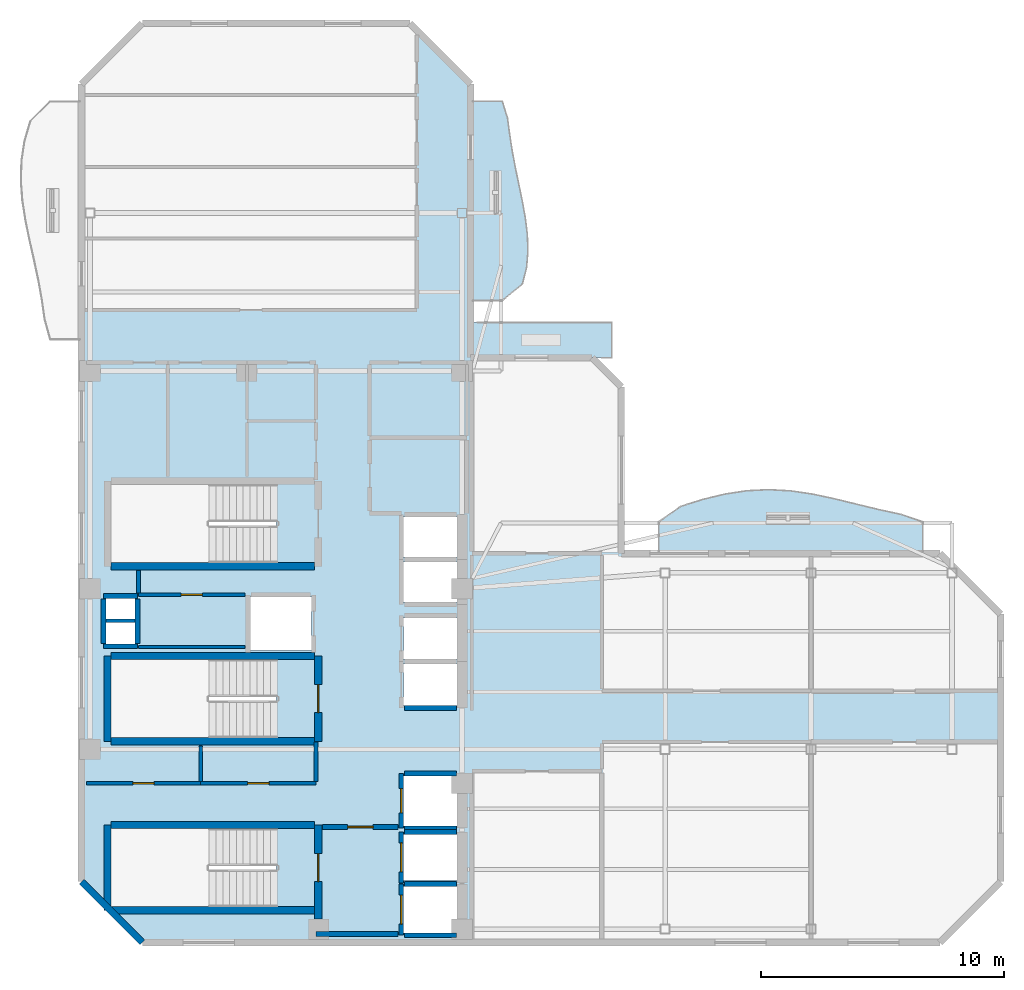
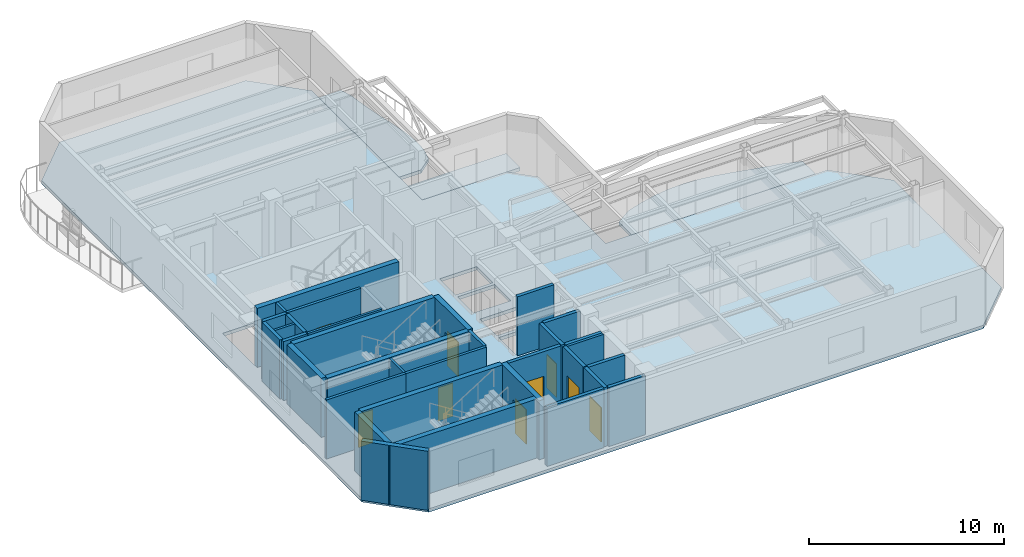
# One storey, part 2 of 8: 33 walls, 9 doors, 4 slabs, 9 openings.
"""IFC4 building model written with IfcOpenShell, lengths in metres."""

from ifc_helpers import new_model, si_unit, direction, frame, frame_2d, origin, place, context, subcontext, project, spatial, polyline, rectangle, outline, extrude, material, layer, layer_set, type_object, element, fill, save


model = new_model("IFC4")

# Units and contexts
model_context = context("Model", 3, precision=1e-05, world=origin(), true_north=direction((0.0, 1.0)))
body_context = subcontext(model_context, "Body", "Model", "MODEL_VIEW")
ifc_project = project(units=[si_unit("LENGTHUNIT", "METRE"), si_unit("AREAUNIT", "SQUARE_METRE"), si_unit("VOLUMEUNIT", "CUBIC_METRE"), si_unit("PLANEANGLEUNIT", "RADIAN"), si_unit("MASSUNIT", "GRAM", prefix="KILO")], contexts=[model_context])

# Site, building, storey
site_placement = place(None, origin())
site = spatial("IfcSite", under=ifc_project, at=site_placement, CompositionType="ELEMENT")
building_placement = place(site_placement, origin())
building = spatial("IfcBuilding", under=site, at=building_placement, Name="Mawjaban Terraces University", CompositionType="ELEMENT")
storey_placement = place(building_placement, frame((0.0, 0.0, 259.89990234375)))
storey = spatial("IfcBuildingStorey", under=building, at=storey_placement, Name="L63", CompositionType="ELEMENT", Elevation=259.89990234375)

# Slabs
ifc_material_1 = material(Name="Concrete C40/50", Category="concrete")
ifc_layer_1 = layer(ifc_material_1, 0.2099609375)
ifc_layer_set_1 = layer_set([ifc_layer_1], Name="Concrete C40/50")
slab_type_1 = type_object("IfcSlabType", Name="BalconySlab_210_Ext", PredefinedType="FLOOR", material=ifc_layer_set_1)
slab_1_placement = place(storey_placement, frame((0.0, 0.0, -0.2099609375)))
element("IfcSlab", 1, at=slab_1_placement, inside=storey, type_object=slab_type_1, Name="L63 Planted Balcony Slab inner_north", PredefinedType="FLOOR", context=body_context, shape_type="SweptSolid", body=[
    extrude(outline(polyline([(45.739990234375, 15.989990234375), (56.60009765625, 15.989990234375), (56.60009765625, 17.300048828125), (55.695068359375, 17.60693359375), (54.7900390625, 17.802978515625), (53.885009765625, 18.02197265625), (52.97998046875, 18.243896484375), (52.074951171875, 18.43798828125), (51.169921875, 18.572021484375), (50.264892578125, 18.623046875), (49.360107421875, 18.577880859375), (48.455078125, 18.43994140625), (47.550048828125, 18.220947265625), (46.64501953125, 17.93505859375), (45.739990234375, 17.300048828125), (45.739990234375, 15.989990234375)])), origin(), (0.0, 0.0, 1.0), 0.2099609375),
])
slab_2_placement = place(storey_placement, frame((0.0, 0.0, -0.2099609375)))
element("IfcSlab", 2, at=slab_2_placement, inside=storey, type_object=slab_type_1, Name="L63 Planted Balcony Slab inner_east", PredefinedType="FLOOR", context=body_context, shape_type="SweptSolid", body=[
    extrude(outline(polyline([(39.300048828125, 26.39990234375), (40.1298828125, 27.0830078125), (40.302978515625, 27.76708984375), (40.35791015625, 28.449951171875), (40.33203125, 29.133056640625), (40.2470703125, 29.81689453125), (40.1240234375, 30.5), (39.98193359375, 31.18310546875), (39.840087890625, 31.866943359375), (39.7119140625, 32.550048828125), (39.60595703125, 33.23291015625), (39.51611328125, 33.9169921875), (39.300048828125, 34.60009765625), (37.989990234375, 34.60009765625), (37.989990234375, 26.39990234375), (39.300048828125, 26.39990234375)])), origin(), (0.0, 0.0, 1.0), 0.2099609375),
])
ifc_layer_2 = layer(ifc_material_1, 0.2099609375)
ifc_layer_set_2 = layer_set([ifc_layer_2], Name="Concrete C40/50")
slab_type_2 = type_object("IfcSlabType", Name="CompositeSlab_210", PredefinedType="FLOOR", material=ifc_layer_set_2)
slab_3_placement = place(storey_placement, frame((0.0, 0.0, -0.2099609375)))
element("IfcSlab", 3, at=slab_3_placement, inside=storey, type_object=slab_type_2, Name="L63 Primary Structural Slab", PredefinedType="FLOOR", context=body_context, shape_type="SweptSolid", body=[
    extrude(outline(polyline([(24.5, 0.0), (57.300048828125, 0.0), (59.800048828125, 2.5), (59.800048828125, 13.5), (57.300048828125, 16.0), (44.199951171875, 16.0), (44.199951171875, 22.85009765625), (43.0, 24.050048828125), (38.0, 24.050048828125), (38.0, 35.300048828125), (35.5, 37.800048828125), (24.5, 37.800048828125), (22.0, 35.300048828125), (22.0, 2.5), (24.5, 0.0)]), holes=[polyline([(30.014892578125, 4.699951171875), (23.199951171875, 4.699951171875), (23.199951171875, 1.449951171875), (30.014892578125, 1.449951171875), (30.014892578125, 4.699951171875)]), polyline([(30.014892578125, 18.85009765625), (23.199951171875, 18.85009765625), (23.199951171875, 15.60009765625), (30.014892578125, 15.60009765625), (30.014892578125, 18.85009765625)]), polyline([(30.014892578125, 11.64990234375), (23.199951171875, 11.64990234375), (23.199951171875, 8.39990234375), (30.014892578125, 8.39990234375), (30.014892578125, 11.64990234375)]), polyline([(35.25, 0.39990234375), (37.449951171875, 0.39990234375), (37.449951171875, 2.300048828125), (35.25, 2.300048828125), (35.25, 0.39990234375)]), polyline([(35.25, 2.550048828125), (37.449951171875, 2.550048828125), (37.449951171875, 4.449951171875), (35.25, 4.449951171875), (35.25, 2.550048828125)]), polyline([(35.25, 4.800048828125), (37.449951171875, 4.800048828125), (37.449951171875, 6.85009765625), (35.25, 6.85009765625), (35.25, 4.800048828125)]), polyline([(35.25, 9.75), (37.449951171875, 9.75), (37.449951171875, 11.449951171875), (35.25, 11.449951171875), (35.25, 9.75)]), polyline([(35.25, 11.64990234375), (37.449951171875, 11.64990234375), (37.449951171875, 13.35009765625), (35.25, 13.35009765625), (35.25, 11.64990234375)]), polyline([(28.949951171875, 12.0), (31.449951171875, 12.0), (31.449951171875, 14.199951171875), (28.949951171875, 14.199951171875), (28.949951171875, 12.0)]), polyline([(35.25, 14.0), (37.449951171875, 14.0), (37.449951171875, 15.64990234375), (35.25, 15.64990234375), (35.25, 14.0)]), polyline([(35.25, 15.85009765625), (37.449951171875, 15.85009765625), (37.449951171875, 17.5), (35.25, 17.5), (35.25, 15.85009765625)]), polyline([(23.0, 12.25), (24.199951171875, 12.25), (24.199951171875, 13.14990234375), (23.0, 13.14990234375), (23.0, 12.25)]), polyline([(23.0, 13.300048828125), (24.199951171875, 13.300048828125), (24.199951171875, 14.179931640625), (23.0, 14.179931640625), (23.0, 13.300048828125)])]), origin(), (0.0, 0.0, 1.0), 0.2099609375),
])
ifc_layer_3 = layer(ifc_material_1, 0.2099609375)
ifc_layer_set_3 = layer_set([ifc_layer_3], Name="Concrete C40/50")
slab_type_3 = type_object("IfcSlabType", Name="StudyTerraceSlab_210_Ext", PredefinedType="FLOOR", material=ifc_layer_set_3)
slab_4_placement = place(storey_placement, frame((0.0, 0.0, -0.2099609375)))
element("IfcSlab", 4, at=slab_4_placement, inside=storey, type_object=slab_type_3, Name="L63 Exterior Study Terrace Slab", PredefinedType="FLOOR", context=body_context, shape_type="SweptSolid", body=[
    extrude(outline(polyline([(38.0, 24.050048828125), (43.800048828125, 24.050048828125), (43.800048828125, 25.5), (38.0, 25.5), (38.0, 24.050048828125)])), origin(), (0.0, 0.0, 1.0), 0.2099609375),
])

# Wall, opening, door
ifc_material_2 = material(Name="Fire-rated gypsum board on steel stud", Category="steel")
ifc_layer_4 = layer(ifc_material_2, 0.159912109375)
ifc_layer_set_4 = layer_set([ifc_layer_4], Name="Fire-rated gypsum board on steel stud")
wall_type_1 = type_object("IfcWallType", Name="CorridorPartition_160", PredefinedType="PARTITIONING", material=ifc_layer_set_4)
wall_1_placement = place(storey_placement, frame((24.35009765625, 14.300048828125, 0.0), z_axis=(0.0, 0.0, 1.0), x_axis=(1.0, 0.0, 0.0)))
wall_1 = element("IfcWall", 5, at=wall_1_placement, inside=storey, type_object=wall_type_1, Name="L63 Core Riser Access Passage Partition 2", PredefinedType="PARTITIONING", context=body_context, shape_type="SweptSolid", body=[
    extrude(rectangle(XDim=4.369873046875, YDim=0.159912109375, at=frame_2d((2.18505859375, 0.0))), origin(), (0.0, 0.0, 1.0), 3.690185546875),
])
opening_1_placement = place(wall_1_placement, frame((1.7451171875, 0.0, 0.0)))
opening_1 = element("IfcOpeningElement", 6, at=opening_1_placement, cuts=wall_1, Name="Opening ID-088", PredefinedType="OPENING", context=body_context, shape_type="SweptSolid", body=[
    extrude(rectangle(XDim=0.8798828125, YDim=2.10009765625, at=frame_2d((0.43994140625, 1.050048828125))), frame((0.0, 0.08984375, 0.0), z_axis=(0.0, -1.0, 0.0), x_axis=(1.0, 0.0, 0.0)), (0.0, 0.0, 1.0), 0.179931640625),
])
ifc_material_3 = material(Name="Powder-coated steel frame and solid acoustic timber leaf", Category="steel")
door_type_1 = type_object("IfcDoorType", Name="ToiletDoor_880x2100", OperationType="NOTDEFINED", PredefinedType="DOOR", material=ifc_material_3)
door_1_placement = place(opening_1_placement, origin())
door_1 = element("IfcDoor", 7, at=door_1_placement, inside=storey, type_object=door_type_1, Name="L63 Ablution Room Door", OperationType="SINGLE_SWING_LEFT", OverallHeight=2.10009765625, OverallWidth=0.8798828125, PredefinedType="DOOR", context=body_context, shape_type="SweptSolid", body=[
    extrude(rectangle(XDim=0.8798828125, YDim=2.10009765625, at=frame_2d((0.43994140625, 1.050048828125))), frame((0.0, 0.02490234375, 0.0), z_axis=(0.0, -1.0, 0.0), x_axis=(1.0, 0.0, 0.0)), (0.0, 0.0, 1.0), 0.050048828125),
])
fill(opening_1, door_1)

wall_2_placement = place(storey_placement, frame((26.89990234375, 6.550048828125, 0.0), z_axis=(0.0, 0.0, 1.0), x_axis=(-1.0, 0.0, 0.0)))
wall_2 = element("IfcWall", 8, at=wall_2_placement, inside=storey, type_object=wall_type_1, Name="L63 Core Washroom Lobby Partition 4", PredefinedType="PARTITIONING", context=body_context, shape_type="SweptSolid", body=[
    extrude(rectangle(XDim=4.699951171875, YDim=0.159912109375, at=frame_2d((2.35009765625, 0.0))), origin(), (0.0, 0.0, 1.0), 3.690185546875),
])
opening_2_placement = place(wall_2_placement, frame((1.909912109375, 0.0, 0.0)))
opening_2 = element("IfcOpeningElement", 9, at=opening_2_placement, cuts=wall_2, Name="Opening ID-088", PredefinedType="OPENING", context=body_context, shape_type="SweptSolid", body=[
    extrude(rectangle(XDim=0.8798828125, YDim=2.10009765625, at=frame_2d((0.43994140625, 1.050048828125))), frame((0.0, 0.08984375, 0.0), z_axis=(0.0, -1.0, 0.0), x_axis=(1.0, 0.0, 0.0)), (0.0, 0.0, 1.0), 0.179931640625),
])
door_2_placement = place(opening_2_placement, origin())
door_2 = element("IfcDoor", 10, at=door_2_placement, inside=storey, type_object=door_type_1, Name="L63 Male Toilet Door", OperationType="SINGLE_SWING_LEFT", OverallHeight=2.10009765625, OverallWidth=0.8798828125, PredefinedType="DOOR", context=body_context, shape_type="SweptSolid", body=[
    extrude(rectangle(XDim=0.8798828125, YDim=2.10009765625, at=frame_2d((0.43994140625, 1.050048828125))), frame((0.0, 0.02490234375, 0.0), z_axis=(0.0, -1.0, 0.0), x_axis=(1.0, 0.0, 0.0)), (0.0, 0.0, 1.0), 0.050048828125),
])
fill(opening_2, door_2)

wall_3_placement = place(storey_placement, frame((31.64990234375, 6.550048828125, 0.0), z_axis=(0.0, 0.0, 1.0), x_axis=(-1.0, 0.0, 0.0)))
wall_3 = element("IfcWall", 11, at=wall_3_placement, inside=storey, type_object=wall_type_1, Name="L63 Core Washroom Lobby Partition 7", PredefinedType="PARTITIONING", context=body_context, shape_type="SweptSolid", body=[
    extrude(rectangle(XDim=4.75, YDim=0.159912109375, at=frame_2d((2.375, 0.0))), origin(), (0.0, 0.0, 1.0), 3.690185546875),
])
opening_3_placement = place(wall_3_placement, frame((1.93505859375, 0.0, 0.0)))
opening_3 = element("IfcOpeningElement", 12, at=opening_3_placement, cuts=wall_3, Name="Opening ID-088", PredefinedType="OPENING", context=body_context, shape_type="SweptSolid", body=[
    extrude(rectangle(XDim=0.8798828125, YDim=2.10009765625, at=frame_2d((0.43994140625, 1.050048828125))), frame((0.0, 0.08984375, 0.0), z_axis=(0.0, -1.0, 0.0), x_axis=(1.0, 0.0, 0.0)), (0.0, 0.0, 1.0), 0.179931640625),
])
door_3_placement = place(opening_3_placement, origin())
door_3 = element("IfcDoor", 13, at=door_3_placement, inside=storey, type_object=door_type_1, Name="L63 Accessible Toilet Door", OperationType="SINGLE_SWING_RIGHT", OverallHeight=2.10009765625, OverallWidth=0.8798828125, PredefinedType="DOOR", context=body_context, shape_type="SweptSolid", body=[
    extrude(rectangle(XDim=0.8798828125, YDim=2.10009765625, at=frame_2d((0.43994140625, 1.050048828125))), frame((0.0, 0.02490234375, 0.0), z_axis=(0.0, -1.0, 0.0), x_axis=(1.0, 0.0, 0.0)), (0.0, 0.0, 1.0), 0.050048828125),
])
fill(opening_3, door_3)

# Walls
wall_4_placement = place(storey_placement, frame((24.35009765625, 15.2900390625, 0.0), z_axis=(0.0, 0.0, 1.0), x_axis=(0.0, -1.0, 0.0)))
element("IfcWall", 14, at=wall_4_placement, inside=storey, type_object=wall_type_1, Name="L63 Core Riser Access Passage Partition 24", PredefinedType="PARTITIONING", context=body_context, shape_type="SweptSolid", body=[
    extrude(rectangle(XDim=0.9150390625, YDim=0.159912109375, at=frame_2d((0.45751953125, 0.0))), origin(), (0.0, 0.0, 1.0), 3.690185546875),
])
wall_5_placement = place(storey_placement, frame((31.64990234375, 8.239990234375, 0.0), z_axis=(0.0, 0.0, 1.0), x_axis=(0.0, -1.0, 0.0)))
element("IfcWall", 15, at=wall_5_placement, inside=storey, type_object=wall_type_1, Name="L63 High-Rise Lift Lobby Partition 29", PredefinedType="PARTITIONING", context=body_context, shape_type="SweptSolid", body=[
    extrude(rectangle(XDim=1.614990234375, YDim=0.159912109375, at=frame_2d((0.8076171875, 0.0))), origin(), (0.0, 0.0, 1.0), 3.690185546875),
])
ifc_material_4 = material(Name="Insulated terracotta rainscreen on concrete backup C40/50", Category="masonry")
ifc_layer_5 = layer(ifc_material_4, 0.27490234375)
ifc_layer_set_5 = layer_set([ifc_layer_5], Name="Insulated terracotta rainscreen on concrete backup C40/50")
wall_type_2 = type_object("IfcWallType", Name="ExtTerracottaWall_275", PredefinedType="SOLIDWALL", material=ifc_layer_set_5)
wall_6_placement = place(storey_placement, frame((22.0, 2.5, 0.0), z_axis=(0.0, 0.0, 1.0), x_axis=(0.707106781187, -0.707106781187, 0.0)))
element("IfcWall", 16, at=wall_6_placement, inside=storey, type_object=wall_type_2, Name="L63 Exterior Terracotta Wall 14", PredefinedType="SOLIDWALL", context=body_context, shape_type="SweptSolid", body=[
    extrude(rectangle(XDim=3.53564453125, YDim=0.27490234375, at=frame_2d((1.767822265625, 0.0))), origin(), (0.0, 0.0, 1.0), 3.690185546875),
])

# Wall, opening, door
ifc_layer_6 = layer(ifc_material_1, 0.199951171875)
ifc_layer_set_6 = layer_set([ifc_layer_6], Name="Concrete C40/50")
wall_type_3 = type_object("IfcWallType", Name="FireLobbyWall_200", PredefinedType="SOLIDWALL", material=ifc_layer_set_6)
wall_7_placement = place(storey_placement, frame((35.14990234375, 2.39990234375, 0.0), z_axis=(0.0, 0.0, 1.0), x_axis=(0.0, -1.0, 0.0)))
wall_7 = element("IfcWall", 17, at=wall_7_placement, inside=storey, type_object=wall_type_3, Name="L63 Lift FL-1 Hoistway Wall West", PredefinedType="SOLIDWALL", context=body_context, shape_type="SweptSolid", body=[
    extrude(rectangle(XDim=2.099853515625, YDim=0.199951171875, at=frame_2d((1.0498046875, 0.0))), origin(), (0.0, 0.0, 1.0), 3.690185546875),
])
opening_4_placement = place(wall_7_placement, frame((0.449951171875, 0.0, 0.0)))
opening_4 = element("IfcOpeningElement", 18, at=opening_4_placement, cuts=wall_7, Name="Opening LD-FL-1", PredefinedType="OPENING", context=body_context, shape_type="SweptSolid", body=[
    extrude(rectangle(XDim=1.199951171875, YDim=2.14990234375, at=frame_2d((0.60009765625, 1.074951171875))), frame((0.0, 0.10986328125, 0.0), z_axis=(0.0, -1.0, 0.0), x_axis=(1.0, 0.0, 0.0)), (0.0, 0.0, 1.0), 0.219970703125),
])
ifc_material_5 = material(Name="Powder-coated steel frame and fire-rated steel-faced leaf", Category="steel")
door_type_2 = type_object("IfcDoorType", Name="LiftLandingFSAE_1200x2150", OperationType="NOTDEFINED", PredefinedType="DOOR", material=ifc_material_5)
door_4_placement = place(opening_4_placement, origin())
door_4 = element("IfcDoor", 19, at=door_4_placement, inside=storey, type_object=door_type_2, Name="L63 Lift FL-1 Sliding Landing Door", OperationType="DOUBLE_DOOR_SLIDING", OverallHeight=2.14990234375, OverallWidth=1.199951171875, PredefinedType="DOOR", context=body_context, shape_type="SweptSolid", body=[
    extrude(rectangle(XDim=1.199951171875, YDim=2.14990234375, at=frame_2d((0.60009765625, 1.074951171875))), frame((0.0, 0.02490234375, 0.0), z_axis=(0.0, -1.0, 0.0), x_axis=(1.0, 0.0, 0.0)), (0.0, 0.0, 1.0), 0.050048828125),
])
fill(opening_4, door_4)

# Walls
for number, where, z_axis, x_axis, name in (
    (20, (35.280029296875, 0.300048828125, 0.0), (0.0, 0.0, 1.0), (1.0, 0.0, 0.0), "L63 Lift FL-1 Hoistway Wall South"),
    (21, (37.419921875, 2.39990234375, 0.0), (0.0, 0.0, 1.0), (-1.0, 0.0, 0.0), "L63 Lift FL-1 Hoistway Wall North"),
):
    element("IfcWall", number, at=place(storey_placement, frame(where, z_axis=z_axis, x_axis=x_axis)), inside=storey, type_object=wall_type_3, Name=name, PredefinedType="SOLIDWALL", context=body_context, shape_type="SweptSolid", body=[
        extrude(rectangle(XDim=2.139892578125, YDim=0.199951171875, at=frame_2d((1.06982421875, 0.0))), origin(), (0.0, 0.0, 1.0), 3.690185546875),
    ])

# Wall, opening, door
wall_8_placement = place(storey_placement, frame((35.14990234375, 4.550048828125, 0.0), z_axis=(0.0, 0.0, 1.0), x_axis=(0.0, -1.0, 0.0)))
wall_8 = element("IfcWall", 22, at=wall_8_placement, inside=storey, type_object=wall_type_3, Name="L63 Lift FL-2 Hoistway Wall West", PredefinedType="SOLIDWALL", context=body_context, shape_type="SweptSolid", body=[
    extrude(rectangle(XDim=2.10009765625, YDim=0.199951171875, at=frame_2d((1.050048828125, 0.0))), origin(), (0.0, 0.0, 1.0), 3.690185546875),
])
opening_5_placement = place(wall_8_placement, frame((0.449951171875, 0.0, 0.0)))
opening_5 = element("IfcOpeningElement", 23, at=opening_5_placement, cuts=wall_8, Name="Opening LD-FL-2", PredefinedType="OPENING", context=body_context, shape_type="SweptSolid", body=[
    extrude(rectangle(XDim=1.199951171875, YDim=2.14990234375, at=frame_2d((0.60009765625, 1.074951171875))), frame((0.0, 0.10986328125, 0.0), z_axis=(0.0, -1.0, 0.0), x_axis=(1.0, 0.0, 0.0)), (0.0, 0.0, 1.0), 0.219970703125),
])
door_5_placement = place(opening_5_placement, origin())
door_5 = element("IfcDoor", 24, at=door_5_placement, inside=storey, type_object=door_type_2, Name="L63 Lift FL-2 Sliding Landing Door", OperationType="DOUBLE_DOOR_SLIDING", OverallHeight=2.14990234375, OverallWidth=1.199951171875, PredefinedType="DOOR", context=body_context, shape_type="SweptSolid", body=[
    extrude(rectangle(XDim=1.199951171875, YDim=2.14990234375, at=frame_2d((0.60009765625, 1.074951171875))), frame((0.0, 0.02490234375, 0.0), z_axis=(0.0, -1.0, 0.0), x_axis=(1.0, 0.0, 0.0)), (0.0, 0.0, 1.0), 0.050048828125),
])
fill(opening_5, door_5)

# Wall
wall_9_placement = place(storey_placement, frame((37.419921875, 4.550048828125, 0.0), z_axis=(0.0, 0.0, 1.0), x_axis=(-1.0, 0.0, 0.0)))
element("IfcWall", 25, at=wall_9_placement, inside=storey, type_object=wall_type_3, Name="L63 Lift FL-2 Hoistway Wall North", PredefinedType="SOLIDWALL", context=body_context, shape_type="SweptSolid", body=[
    extrude(rectangle(XDim=2.139892578125, YDim=0.199951171875, at=frame_2d((1.06982421875, 0.0))), origin(), (0.0, 0.0, 1.0), 3.690185546875),
])

# Wall, opening, door
wall_10_placement = place(storey_placement, frame((35.14990234375, 6.949951171875, 0.0), z_axis=(0.0, 0.0, 1.0), x_axis=(0.0, -1.0, 0.0)))
wall_10 = element("IfcWall", 26, at=wall_10_placement, inside=storey, type_object=wall_type_3, Name="L63 Lift SL-1 Hoistway Wall West", PredefinedType="SOLIDWALL", context=body_context, shape_type="SweptSolid", body=[
    extrude(rectangle(XDim=2.25, YDim=0.199951171875, at=frame_2d((1.125, 0.0))), origin(), (0.0, 0.0, 1.0), 3.690185546875),
])
opening_6_placement = place(wall_10_placement, frame((0.625, 0.0, 0.0)))
opening_6 = element("IfcOpeningElement", 27, at=opening_6_placement, cuts=wall_10, Name="Opening LD-SL-1", PredefinedType="OPENING", context=body_context, shape_type="SweptSolid", body=[
    extrude(rectangle(XDim=1.0, YDim=2.10009765625, at=frame_2d((0.5, 1.050048828125))), frame((0.0, 0.10986328125, 0.0), z_axis=(0.0, -1.0, 0.0), x_axis=(1.0, 0.0, 0.0)), (0.0, 0.0, 1.0), 0.219970703125),
])
door_type_3 = type_object("IfcDoorType", Name="LiftLandingSliding_1000x2100", OperationType="NOTDEFINED", PredefinedType="DOOR", material=ifc_material_5)
door_6_placement = place(opening_6_placement, origin())
door_6 = element("IfcDoor", 28, at=door_6_placement, inside=storey, type_object=door_type_3, Name="L63 Lift SL-1 Sliding Landing Door", OperationType="DOUBLE_DOOR_SLIDING", OverallHeight=2.10009765625, OverallWidth=1.0, PredefinedType="DOOR", context=body_context, shape_type="SweptSolid", body=[
    extrude(rectangle(XDim=1.0, YDim=2.10009765625, at=frame_2d((0.5, 1.050048828125))), frame((0.0, 0.02490234375, 0.0), z_axis=(0.0, -1.0, 0.0), x_axis=(1.0, 0.0, 0.0)), (0.0, 0.0, 1.0), 0.050048828125),
])
fill(opening_6, door_6)

# Walls
for number, where, z_axis, x_axis, name in (
    (29, (35.280029296875, 4.699951171875, 0.0), (0.0, 0.0, 1.0), (1.0, 0.0, 0.0), "L63 Lift SL-1 Hoistway Wall South"),
    (30, (37.419921875, 6.949951171875, 0.0), (0.0, 0.0, 1.0), (-1.0, 0.0, 0.0), "L63 Lift SL-1 Hoistway Wall North"),
    (31, (35.280029296875, 9.64990234375, 0.0), (0.0, 0.0, 1.0), (1.0, 0.0, 0.0), "L63 Lift PL-H1 Hoistway Wall South"),
):
    element("IfcWall", number, at=place(storey_placement, frame(where, z_axis=z_axis, x_axis=x_axis)), inside=storey, type_object=wall_type_3, Name=name, PredefinedType="SOLIDWALL", context=body_context, shape_type="SweptSolid", body=[
        extrude(rectangle(XDim=2.139892578125, YDim=0.199951171875, at=frame_2d((1.06982421875, 0.0))), origin(), (0.0, 0.0, 1.0), 3.690185546875),
    ])
for number, where, z_axis, x_axis, name in (
    (32, (22.89990234375, 14.25, 0.0), (0.0, 0.0, 1.0), (1.0, 0.0, 0.0), "L63 MEP Riser Shaft Wall N"),
    (33, (22.89990234375, 12.179931640625, 0.0), (0.0, 0.0, 1.0), (1.0, 0.0, 0.0), "L63 MEP Riser Shaft Wall S"),
):
    element("IfcWall", number, at=place(storey_placement, frame(where, z_axis=z_axis, x_axis=x_axis)), inside=storey, type_object=wall_type_3, Name=name, PredefinedType="SOLIDWALL", context=body_context, shape_type="SweptSolid", body=[
        extrude(rectangle(XDim=1.400146484375, YDim=0.199951171875, at=frame_2d((0.7001953125, 0.0))), origin(), (0.0, 0.0, 1.0), 3.690185546875),
    ])
for number, where, z_axis, x_axis, name in (
    (34, (24.300048828125, 12.300048828125, 0.0), (0.0, 0.0, 1.0), (0.0, 1.0, 0.0), "L63 MEP Riser Shaft Wall E"),
    (35, (22.89990234375, 12.300048828125, 0.0), (0.0, 0.0, 1.0), (0.0, 1.0, 0.0), "L63 MEP Riser Shaft Wall W"),
):
    element("IfcWall", number, at=place(storey_placement, frame(where, z_axis=z_axis, x_axis=x_axis)), inside=storey, type_object=wall_type_3, Name=name, PredefinedType="SOLIDWALL", context=body_context, shape_type="SweptSolid", body=[
        extrude(rectangle(XDim=1.829833984375, YDim=0.199951171875, at=frame_2d((0.9150390625, 0.0))), origin(), (0.0, 0.0, 1.0), 3.690185546875),
    ])
wall_11_placement = place(storey_placement, frame((31.64990234375, 0.35009765625, 0.0), z_axis=(0.0, 0.0, 1.0), x_axis=(1.0, 0.0, 0.0)))
element("IfcWall", 36, at=wall_11_placement, inside=storey, type_object=wall_type_3, Name="L63 Firefighting Lift Lobby Partition 6", PredefinedType="SOLIDWALL", context=body_context, shape_type="SweptSolid", body=[
    extrude(rectangle(XDim=3.3701171875, YDim=0.199951171875, at=frame_2d((1.68505859375, 0.0))), origin(), (0.0, 0.0, 1.0), 3.690185546875),
])

# Wall, opening, door
wall_12_placement = place(storey_placement, frame((35.02001953125, 4.75, 0.0), z_axis=(0.0, 0.0, 1.0), x_axis=(-1.0, 0.0, 0.0)))
wall_12 = element("IfcWall", 37, at=wall_12_placement, inside=storey, type_object=wall_type_3, Name="L63 Firefighting Lift Lobby Partition 11", PredefinedType="SOLIDWALL", context=body_context, shape_type="SweptSolid", body=[
    extrude(rectangle(XDim=3.110107421875, YDim=0.199951171875, at=frame_2d((1.55517578125, 0.0))), origin(), (0.0, 0.0, 1.0), 3.690185546875),
])
opening_7_placement = place(wall_12_placement, frame((1.030029296875, 0.0, 0.0)))
opening_7 = element("IfcOpeningElement", 38, at=opening_7_placement, cuts=wall_12, Name="Opening FD-105", PredefinedType="OPENING", context=body_context, shape_type="SweptSolid", body=[
    extrude(rectangle(XDim=1.050048828125, YDim=2.14990234375, at=frame_2d((0.52490234375, 1.074951171875))), frame((0.0, 0.10986328125, 0.0), z_axis=(0.0, -1.0, 0.0), x_axis=(1.0, 0.0, 0.0)), (0.0, 0.0, 1.0), 0.219970703125),
])
door_type_4 = type_object("IfcDoorType", Name="FireLobbyDoor_1050x2150", OperationType="NOTDEFINED", PredefinedType="DOOR", material=ifc_material_5)
door_7_placement = place(opening_7_placement, origin())
door_7 = element("IfcDoor", 39, at=door_7_placement, inside=storey, type_object=door_type_4, Name="L63 Firefighting Lift Lobby Door", OperationType="SINGLE_SWING_RIGHT", OverallHeight=2.14990234375, OverallWidth=1.050048828125, PredefinedType="DOOR", context=body_context, shape_type="SweptSolid", body=[
    extrude(rectangle(XDim=1.050048828125, YDim=2.14990234375, at=frame_2d((0.52490234375, 1.074951171875))), frame((0.0, 0.02490234375, 0.0), z_axis=(0.0, -1.0, 0.0), x_axis=(1.0, 0.0, 0.0)), (0.0, 0.0, 1.0), 0.050048828125),
])
fill(opening_7, door_7)

# Walls
ifc_material_6 = material(Name="Moisture-resistant gypsum board on steel stud", Category="steel")
ifc_layer_7 = layer(ifc_material_6, 0.14501953125)
ifc_layer_set_7 = layer_set([ifc_layer_7], Name="Moisture-resistant gypsum board on steel stud")
wall_type_4 = type_object("IfcWallType", Name="LabPartition_145", PredefinedType="PARTITIONING", material=ifc_layer_set_7)
wall_13_placement = place(storey_placement, frame((23.010009765625, 13.22509765625, 0.0), z_axis=(0.0, 0.0, 1.0), x_axis=(1.0, 0.0, 0.0)))
element("IfcWall", 40, at=wall_13_placement, inside=storey, type_object=wall_type_4, Name="L63 MEP Riser Shaft Wall M", PredefinedType="PARTITIONING", context=body_context, shape_type="SweptSolid", body=[
    extrude(rectangle(XDim=1.179931640625, YDim=0.14501953125, at=frame_2d((0.58984375, 0.0))), origin(), (0.0, 0.0, 1.0), 3.690185546875),
])
ifc_material_7 = material(Name="Concrete C60/75", Category="concrete")
ifc_layer_8 = layer(ifc_material_7, 0.300048828125)
ifc_layer_set_8 = layer_set([ifc_layer_8], Name="Concrete C60/75")
wall_type_5 = type_object("IfcWallType", Name="StairShaftWall_300", PredefinedType="SHEAR", material=ifc_layer_set_8)
wall_14_placement = place(storey_placement, frame((31.580078125, 4.830078125, 0.0), z_axis=(0.0, 0.0, 1.0), x_axis=(-1.0, 0.0, 0.0)))
element("IfcWall", 41, at=wall_14_placement, inside=storey, type_object=wall_type_5, Name="L63 ST-1 Stair Shaft Wall 1", PredefinedType="SHEAR", context=body_context, shape_type="SweptSolid", body=[
    extrude(rectangle(XDim=8.360107421875, YDim=0.300048828125, at=frame_2d((4.18017578125, 0.0))), origin(), (0.0, 0.0, 1.0), 3.690185546875),
])
wall_15_placement = place(storey_placement, frame((23.070068359375, 4.830078125, 0.0), z_axis=(0.0, 0.0, 1.0), x_axis=(0.0, -1.0, 0.0)))
element("IfcWall", 42, at=wall_15_placement, inside=storey, type_object=wall_type_5, Name="L63 ST-1 Stair Shaft Wall 2", PredefinedType="SHEAR", context=body_context, shape_type="SweptSolid", body=[
    extrude(rectangle(XDim=3.510009765625, YDim=0.300048828125, at=frame_2d((1.7548828125, 0.0))), origin(), (0.0, 0.0, 1.0), 3.690185546875),
])
wall_16_placement = place(storey_placement, frame((23.219970703125, 1.320068359375, 0.0), z_axis=(0.0, 0.0, 1.0), x_axis=(1.0, 0.0, 0.0)))
element("IfcWall", 43, at=wall_16_placement, inside=storey, type_object=wall_type_5, Name="L63 ST-1 Stair Shaft Wall 3", PredefinedType="SHEAR", context=body_context, shape_type="SweptSolid", body=[
    extrude(rectangle(XDim=8.360107421875, YDim=0.300048828125, at=frame_2d((4.18017578125, 0.0))), origin(), (0.0, 0.0, 1.0), 3.690185546875),
])

# Wall, opening, door
wall_17_placement = place(storey_placement, frame((31.72998046875, 0.9599609375, 0.0), z_axis=(0.0, 0.0, 1.0), x_axis=(0.0, 1.0, 0.0)))
wall_17 = element("IfcWall", 44, at=wall_17_placement, inside=storey, type_object=wall_type_5, Name="L63 ST-1 Stair Shaft Wall 4", PredefinedType="SHEAR", context=body_context, shape_type="SweptSolid", body=[
    extrude(rectangle(XDim=3.8701171875, YDim=0.300048828125, at=frame_2d((1.93505859375, 0.0))), origin(), (0.0, 0.0, 1.0), 3.690185546875),
])
opening_8_placement = place(wall_17_placement, frame((1.5400390625, 0.0, 0.0)))
opening_8 = element("IfcOpeningElement", 45, at=opening_8_placement, cuts=wall_17, Name="Opening FD-115", PredefinedType="OPENING", context=body_context, shape_type="SweptSolid", body=[
    extrude(rectangle(XDim=1.14990234375, YDim=2.14990234375, at=frame_2d((0.574951171875, 1.074951171875))), frame((0.0, 0.159912109375, 0.0), z_axis=(0.0, -1.0, 0.0), x_axis=(1.0, 0.0, 0.0)), (0.0, 0.0, 1.0), 0.320068359375),
])
door_type_5 = type_object("IfcDoorType", Name="FireStairDoor_1150x2150", OperationType="NOTDEFINED", PredefinedType="DOOR", material=ifc_material_5)
door_8_placement = place(opening_8_placement, origin())
door_8 = element("IfcDoor", 46, at=door_8_placement, inside=storey, type_object=door_type_5, Name="L63 ST-1 Pressurised Stair Fire Door", OperationType="SINGLE_SWING_LEFT", OverallHeight=2.14990234375, OverallWidth=1.14990234375, PredefinedType="DOOR", context=body_context, shape_type="SweptSolid", body=[
    extrude(rectangle(XDim=1.14990234375, YDim=2.14990234375, at=frame_2d((0.574951171875, 1.074951171875))), frame((0.0, 0.02490234375, 0.0), z_axis=(0.0, -1.0, 0.0), x_axis=(1.0, 0.0, 0.0)), (0.0, 0.0, 1.0), 0.050048828125),
])
fill(opening_8, door_8)

# Walls
for number, where, z_axis, x_axis, name in (
    (47, (23.219970703125, 15.469970703125, 0.0), (0.0, 0.0, 1.0), (1.0, 0.0, 0.0), "L63 ST-2 Stair Shaft Wall 3"),
    (48, (31.580078125, 11.780029296875, 0.0), (0.0, 0.0, 1.0), (-1.0, 0.0, 0.0), "L63 ST-3 Stair Shaft Wall 1"),
):
    element("IfcWall", number, at=place(storey_placement, frame(where, z_axis=z_axis, x_axis=x_axis)), inside=storey, type_object=wall_type_5, Name=name, PredefinedType="SHEAR", context=body_context, shape_type="SweptSolid", body=[
        extrude(rectangle(XDim=8.360107421875, YDim=0.300048828125, at=frame_2d((4.18017578125, 0.0))), origin(), (0.0, 0.0, 1.0), 3.690185546875),
    ])
wall_18_placement = place(storey_placement, frame((23.070068359375, 11.780029296875, 0.0), z_axis=(0.0, 0.0, 1.0), x_axis=(0.0, -1.0, 0.0)))
element("IfcWall", 49, at=wall_18_placement, inside=storey, type_object=wall_type_5, Name="L63 ST-3 Stair Shaft Wall 2", PredefinedType="SHEAR", context=body_context, shape_type="SweptSolid", body=[
    extrude(rectangle(XDim=3.510009765625, YDim=0.300048828125, at=frame_2d((1.7548828125, 0.0))), origin(), (0.0, 0.0, 1.0), 3.690185546875),
])
wall_19_placement = place(storey_placement, frame((23.219970703125, 8.27001953125, 0.0), z_axis=(0.0, 0.0, 1.0), x_axis=(1.0, 0.0, 0.0)))
element("IfcWall", 50, at=wall_19_placement, inside=storey, type_object=wall_type_5, Name="L63 ST-3 Stair Shaft Wall 3", PredefinedType="SHEAR", context=body_context, shape_type="SweptSolid", body=[
    extrude(rectangle(XDim=8.360107421875, YDim=0.300048828125, at=frame_2d((4.18017578125, 0.0))), origin(), (0.0, 0.0, 1.0), 3.690185546875),
])

# Wall, opening, door
wall_20_placement = place(storey_placement, frame((31.72998046875, 8.27001953125, 0.0), z_axis=(0.0, 0.0, 1.0), x_axis=(0.0, 1.0, 0.0)))
wall_20 = element("IfcWall", 51, at=wall_20_placement, inside=storey, type_object=wall_type_5, Name="L63 ST-3 Stair Shaft Wall 4", PredefinedType="SHEAR", context=body_context, shape_type="SweptSolid", body=[
    extrude(rectangle(XDim=3.510009765625, YDim=0.300048828125, at=frame_2d((1.7548828125, 0.0))), origin(), (0.0, 0.0, 1.0), 3.690185546875),
])
opening_9_placement = place(wall_20_placement, frame((1.179931640625, 0.0, 0.0)))
opening_9 = element("IfcOpeningElement", 52, at=opening_9_placement, cuts=wall_20, Name="Opening FD-115", PredefinedType="OPENING", context=body_context, shape_type="SweptSolid", body=[
    extrude(rectangle(XDim=1.14990234375, YDim=2.14990234375, at=frame_2d((0.574951171875, 1.074951171875))), frame((0.0, 0.159912109375, 0.0), z_axis=(0.0, -1.0, 0.0), x_axis=(1.0, 0.0, 0.0)), (0.0, 0.0, 1.0), 0.320068359375),
])
door_9_placement = place(opening_9_placement, origin())
door_9 = element("IfcDoor", 53, at=door_9_placement, inside=storey, type_object=door_type_5, Name="L63 ST-3 Pressurised Stair Fire Door", OperationType="SINGLE_SWING_LEFT", OverallHeight=2.14990234375, OverallWidth=1.14990234375, PredefinedType="DOOR", context=body_context, shape_type="SweptSolid", body=[
    extrude(rectangle(XDim=1.14990234375, YDim=2.14990234375, at=frame_2d((0.574951171875, 1.074951171875))), frame((0.0, 0.02490234375, 0.0), z_axis=(0.0, -1.0, 0.0), x_axis=(1.0, 0.0, 0.0)), (0.0, 0.0, 1.0), 0.050048828125),
])
fill(opening_9, door_9)

# Walls
ifc_material_8 = material(Name="Cement-board wet-room partition", Category="masonry")
ifc_layer_9 = layer(ifc_material_8, 0.135009765625)
ifc_layer_set_9 = layer_set([ifc_layer_9], Name="Cement-board wet-room partition")
wall_type_6 = type_object("IfcWallType", Name="WetRoomPartition_135", PredefinedType="PARTITIONING", material=ifc_layer_set_9)
wall_21_placement = place(storey_placement, frame((24.35009765625, 12.14990234375, 0.0), z_axis=(0.0, 0.0, 1.0), x_axis=(1.0, 0.0, 0.0)))
element("IfcWall", 54, at=wall_21_placement, inside=storey, type_object=wall_type_6, Name="L63 Ablution Room Partition 1", PredefinedType="PARTITIONING", context=body_context, shape_type="SweptSolid", body=[
    extrude(rectangle(XDim=4.369873046875, YDim=0.135009765625, at=frame_2d((2.18505859375, 0.0))), origin(), (0.0, 0.0, 1.0), 3.690185546875),
])
wall_22_placement = place(storey_placement, frame((26.89990234375, 6.625, 0.0), z_axis=(0.0, 0.0, 1.0), x_axis=(0.0, 1.0, 0.0)))
element("IfcWall", 55, at=wall_22_placement, inside=storey, type_object=wall_type_6, Name="L63 Male Toilet Partition 26", PredefinedType="PARTITIONING", context=body_context, shape_type="SweptSolid", body=[
    extrude(rectangle(XDim=1.465087890625, YDim=0.135009765625, at=frame_2d((0.732421875, 0.0))), origin(), (0.0, 0.0, 1.0), 3.690185546875),
])

save(model, "model.ifc")
